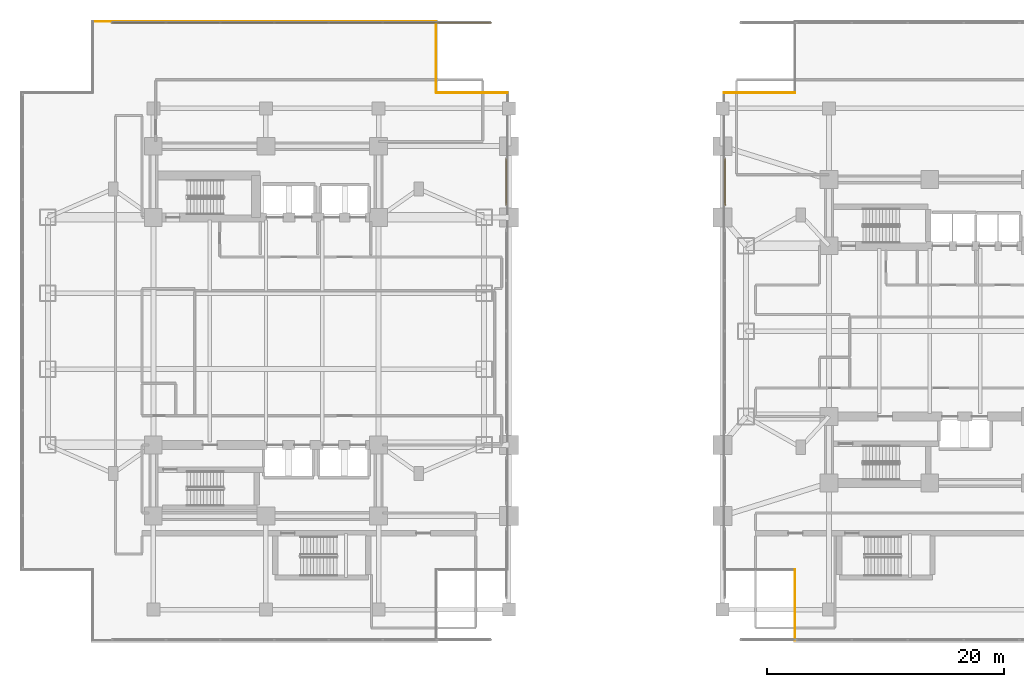
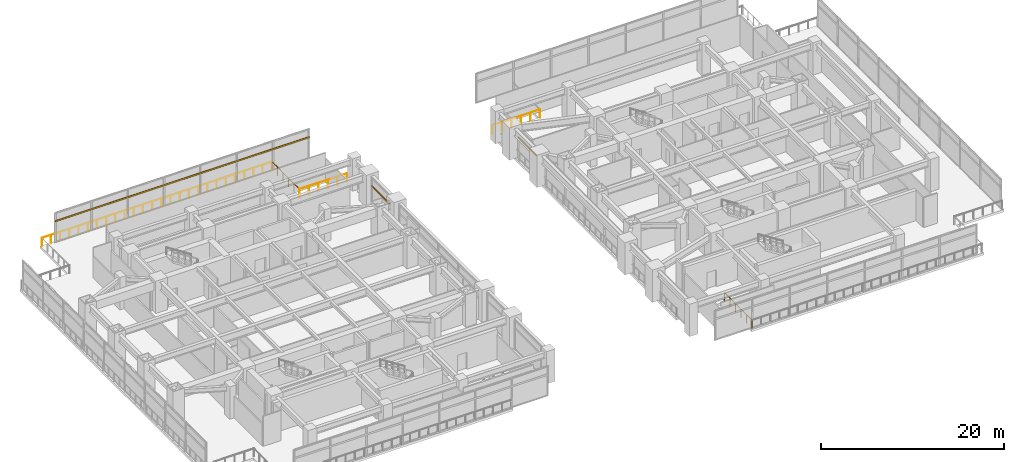
# One storey, part 26 of 31: 5 railings, 3 shading devices.
"""IFC4 building model written with IfcOpenShell, lengths in metres."""

from ifc_helpers import new_model, si_unit, direction, frame, origin, origin_2d, place, context, subcontext, project, spatial, rectangle, circle, extrude, material, material_profile, profile_set, type_object, element, save


model = new_model("IFC4")

# Units and contexts
model_context = context("Model", 3, precision=1e-05, world=origin(), true_north=direction((0.0, 1.0)))
body_context = subcontext(model_context, "Body", "Model", "MODEL_VIEW")
ifc_project = project(units=[si_unit("LENGTHUNIT", "METRE"), si_unit("AREAUNIT", "SQUARE_METRE"), si_unit("VOLUMEUNIT", "CUBIC_METRE"), si_unit("PLANEANGLEUNIT", "RADIAN"), si_unit("MASSUNIT", "GRAM", prefix="KILO")], contexts=[model_context])

# Site, building, storey
site_placement = place(None, origin())
site = spatial("IfcSite", under=ifc_project, at=site_placement, CompositionType="ELEMENT")
building_placement = place(site_placement, origin())
building = spatial("IfcBuilding", under=site, at=building_placement, Name="Mirazonda Arch Towers", CompositionType="ELEMENT")
storey_placement = place(building_placement, frame((0.0, 0.0, 5.199951171875)))
storey = spatial("IfcBuildingStorey", under=building, at=storey_placement, Name="L01", CompositionType="ELEMENT", Elevation=5.199951171875)

# Shading devices
ifc_material_1 = material(Name="Kiln-Fired Architectural Terracotta", Category="masonry")
ifc_material_profile = material_profile(ifc_material_1, rectangle(XDim=0.10009765625, YDim=0.199951171875, at=origin_2d()), Name="TERRA-BAG-100x200")
ifc_profile_set = profile_set([ifc_material_profile], Name="Kiln-Fired Architectural Terracotta")
shading_device_type = type_object("IfcShadingDeviceType", Name="BAGUETTE-2", PredefinedType="USERDEFINED", material=ifc_profile_set)
shading_device_placement = place(storey_placement, frame((7.5, 54.030029296875, 2.851318359375), z_axis=(1.0, 0.0, 0.0), x_axis=(0.0, 1.0, 0.0)))
element("IfcShadingDevice", 1, at=shading_device_placement, inside=storey, type_object=shading_device_type, Name="L01 Glazed Terracotta Sun-Screen Baguette CW-L01-WN", ObjectType="BAGUETTE", PredefinedType="USERDEFINED", context=body_context, shape_type="SweptSolid", body=[
    extrude(rectangle(XDim=0.10009765625, YDim=0.199951171875, at=origin_2d()), origin(), (0.0, 0.0, 1.0), 32.0),
])
for number, where, z_axis, x_axis, name in (
    (2, (40.780029296875, 42.56005859375, 2.851318359375), (0.0, -1.0, 0.0), (1.0, 0.0, 0.0), "L01 Glazed Terracotta Sun-Screen Baguette CW-L01-AW-S1"),
    (3, (59.219970703125, 38.639892578125, 2.851318359375), (0.0, 1.0, 0.0), (-1.0, 0.0, 0.0), "L01 Glazed Terracotta Sun-Screen Baguette CW-L01-AE-S4"),
):
    element("IfcShadingDevice", number, at=place(storey_placement, frame(where, z_axis=z_axis, x_axis=x_axis)), inside=storey, type_object=shading_device_type, Name=name, ObjectType="BAGUETTE", PredefinedType="USERDEFINED", context=body_context, shape_type="SweptSolid", body=[
        extrude(rectangle(XDim=0.10009765625, YDim=0.199951171875, at=origin_2d()), origin(), (0.0, 0.0, 1.0), 3.920166015625),
    ])

# Railings
ifc_material_2 = material(Name="Architectural Brushed Steel S355", Category="steel")
railing_type = type_object("IfcRailingType", Name="GUARD-EXT-1150", PredefinedType="GUARDRAIL", material=ifc_material_2)
railing_1_placement = place(storey_placement, frame((40.860107421875, 48.110107421875, 0.0)))
element("IfcRailing", 4, at=railing_1_placement, inside=storey, type_object=railing_type, Name="L01 L01 West Podium Perimeter Guard 05", PredefinedType="GUARDRAIL", context=body_context, shape_type="SweptSolid", body=[
    extrude(circle(Radius=0.02392578125, at=origin_2d()), frame((0.0, 0.0, 1.1259765625), z_axis=(-1.0, 0.0, 0.0), x_axis=(0.0, -1.0, 0.0)), (0.0, 0.0, 1.0), 6.0),
    extrude(circle(Radius=0.02099609375, at=origin_2d()), origin(), (0.0, 0.0, 1.0), 1.101806640625),
    extrude(circle(Radius=0.02099609375, at=origin_2d()), frame((-1.199951171875, 0.0, 0.0)), (0.0, 0.0, 1.0), 1.101806640625),
    extrude(circle(Radius=0.02099609375, at=origin_2d()), frame((-2.39990234375, 0.0, 0.0)), (0.0, 0.0, 1.0), 1.101806640625),
    extrude(circle(Radius=0.02099609375, at=origin_2d()), frame((-3.60009765625, 0.0, 0.0)), (0.0, 0.0, 1.0), 1.101806640625),
    extrude(circle(Radius=0.02099609375, at=origin_2d()), frame((-4.800048828125, 0.0, 0.0)), (0.0, 0.0, 1.0), 1.101806640625),
    extrude(circle(Radius=0.02099609375, at=origin_2d()), frame((-6.0, 0.0, 0.0)), (0.0, 0.0, 1.0), 1.101806640625),
])
railing_2_placement = place(storey_placement, frame((34.860107421875, 48.110107421875, 0.0)))
element("IfcRailing", 5, at=railing_2_placement, inside=storey, type_object=railing_type, Name="L01 L01 West Podium Perimeter Guard 06", PredefinedType="GUARDRAIL", context=body_context, shape_type="SweptSolid", body=[
    extrude(circle(Radius=0.02392578125, at=origin_2d()), frame((0.0, 0.0, 1.1259765625), z_axis=(0.0, 1.0, 0.0), x_axis=(-1.0, 0.0, 0.0)), (0.0, 0.0, 1.0), 6.0),
    extrude(circle(Radius=0.02099609375, at=origin_2d()), origin(), (0.0, 0.0, 1.0), 1.101806640625),
    extrude(circle(Radius=0.02099609375, at=origin_2d()), frame((0.0, 1.199951171875, 0.0)), (0.0, 0.0, 1.0), 1.101806640625),
    extrude(circle(Radius=0.02099609375, at=origin_2d()), frame((0.0, 2.39990234375, 0.0)), (0.0, 0.0, 1.0), 1.101806640625),
    extrude(circle(Radius=0.02099609375, at=origin_2d()), frame((0.0, 3.60009765625, 0.0)), (0.0, 0.0, 1.0), 1.101806640625),
    extrude(circle(Radius=0.02099609375, at=origin_2d()), frame((0.0, 4.800048828125, 0.0)), (0.0, 0.0, 1.0), 1.101806640625),
    extrude(circle(Radius=0.02099609375, at=origin_2d()), frame((0.0, 6.0, 0.0)), (0.0, 0.0, 1.0), 1.101806640625),
])
railing_3_placement = place(storey_placement, frame((34.860107421875, 54.110107421875, 0.0)))
element("IfcRailing", 6, at=railing_3_placement, inside=storey, type_object=railing_type, Name="L01 L01 West Podium Perimeter Guard 07", PredefinedType="GUARDRAIL", context=body_context, shape_type="SweptSolid", body=[
    extrude(circle(Radius=0.02392578125, at=origin_2d()), frame((0.0, 0.0, 1.1259765625), z_axis=(-1.0, 0.0, 0.0), x_axis=(0.0, -1.0, 0.0)), (0.0, 0.0, 1.0), 28.97021484375),
    extrude(circle(Radius=0.02099609375, at=origin_2d()), origin(), (0.0, 0.0, 1.0), 1.101806640625),
    extrude(circle(Radius=0.02099609375, at=origin_2d()), frame((-1.15869140625, 0.0, 0.0)), (0.0, 0.0, 1.0), 1.101806640625),
    extrude(circle(Radius=0.02099609375, at=origin_2d()), frame((-2.317626953125, 0.0, 0.0)), (0.0, 0.0, 1.0), 1.101806640625),
    extrude(circle(Radius=0.02099609375, at=origin_2d()), frame((-3.476318359375, 0.0, 0.0)), (0.0, 0.0, 1.0), 1.101806640625),
    extrude(circle(Radius=0.02099609375, at=origin_2d()), frame((-4.63525390625, 0.0, 0.0)), (0.0, 0.0, 1.0), 1.101806640625),
    extrude(circle(Radius=0.02099609375, at=origin_2d()), frame((-5.7939453125, 0.0, 0.0)), (0.0, 0.0, 1.0), 1.101806640625),
    extrude(circle(Radius=0.02099609375, at=origin_2d()), frame((-6.952880859375, 0.0, 0.0)), (0.0, 0.0, 1.0), 1.101806640625),
    extrude(circle(Radius=0.02099609375, at=origin_2d()), frame((-8.111572265625, 0.0, 0.0)), (0.0, 0.0, 1.0), 1.101806640625),
    extrude(circle(Radius=0.02099609375, at=origin_2d()), frame((-9.2705078125, 0.0, 0.0)), (0.0, 0.0, 1.0), 1.101806640625),
    extrude(circle(Radius=0.02099609375, at=origin_2d()), frame((-10.42919921875, 0.0, 0.0)), (0.0, 0.0, 1.0), 1.101806640625),
    extrude(circle(Radius=0.02099609375, at=origin_2d()), frame((-11.588134765625, 0.0, 0.0)), (0.0, 0.0, 1.0), 1.101806640625),
    extrude(circle(Radius=0.02099609375, at=origin_2d()), frame((-12.746826171875, 0.0, 0.0)), (0.0, 0.0, 1.0), 1.101806640625),
    extrude(circle(Radius=0.02099609375, at=origin_2d()), frame((-13.90576171875, 0.0, 0.0)), (0.0, 0.0, 1.0), 1.101806640625),
    extrude(circle(Radius=0.02099609375, at=origin_2d()), frame((-15.064453125, 0.0, 0.0)), (0.0, 0.0, 1.0), 1.101806640625),
    extrude(circle(Radius=0.02099609375, at=origin_2d()), frame((-16.223388671875, 0.0, 0.0)), (0.0, 0.0, 1.0), 1.101806640625),
    extrude(circle(Radius=0.02099609375, at=origin_2d()), frame((-17.382080078125, 0.0, 0.0)), (0.0, 0.0, 1.0), 1.101806640625),
    extrude(circle(Radius=0.02099609375, at=origin_2d()), frame((-18.541015625, 0.0, 0.0)), (0.0, 0.0, 1.0), 1.101806640625),
    extrude(circle(Radius=0.02099609375, at=origin_2d()), frame((-19.69970703125, 0.0, 0.0)), (0.0, 0.0, 1.0), 1.101806640625),
    extrude(circle(Radius=0.02099609375, at=origin_2d()), frame((-20.858642578125, 0.0, 0.0)), (0.0, 0.0, 1.0), 1.101806640625),
    extrude(circle(Radius=0.02099609375, at=origin_2d()), frame((-22.017333984375, 0.0, 0.0)), (0.0, 0.0, 1.0), 1.101806640625),
    extrude(circle(Radius=0.02099609375, at=origin_2d()), frame((-23.17626953125, 0.0, 0.0)), (0.0, 0.0, 1.0), 1.101806640625),
    extrude(circle(Radius=0.02099609375, at=origin_2d()), frame((-24.3349609375, 0.0, 0.0)), (0.0, 0.0, 1.0), 1.101806640625),
    extrude(circle(Radius=0.02099609375, at=origin_2d()), frame((-25.493896484375, 0.0, 0.0)), (0.0, 0.0, 1.0), 1.101806640625),
    extrude(circle(Radius=0.02099609375, at=origin_2d()), frame((-26.652587890625, 0.0, 0.0)), (0.0, 0.0, 1.0), 1.101806640625),
    extrude(circle(Radius=0.02099609375, at=origin_2d()), frame((-27.8115234375, 0.0, 0.0)), (0.0, 0.0, 1.0), 1.101806640625),
    extrude(circle(Radius=0.02099609375, at=origin_2d()), frame((-28.97021484375, 0.0, 0.0)), (0.0, 0.0, 1.0), 1.101806640625),
])
railing_4_placement = place(storey_placement, frame((65.139892578125, 48.110107421875, 0.0)))
element("IfcRailing", 7, at=railing_4_placement, inside=storey, type_object=railing_type, Name="L01 L01 East Podium Perimeter Guard 09", PredefinedType="GUARDRAIL", context=body_context, shape_type="SweptSolid", body=[
    extrude(circle(Radius=0.02392578125, at=origin_2d()), frame((0.0, 0.0, 1.1259765625), z_axis=(-1.0, 0.0, 0.0), x_axis=(0.0, -1.0, 0.0)), (0.0, 0.0, 1.0), 6.0),
    extrude(circle(Radius=0.02099609375, at=origin_2d()), origin(), (0.0, 0.0, 1.0), 1.101806640625),
    extrude(circle(Radius=0.02099609375, at=origin_2d()), frame((-1.199951171875, 0.0, 0.0)), (0.0, 0.0, 1.0), 1.101806640625),
    extrude(circle(Radius=0.02099609375, at=origin_2d()), frame((-2.39990234375, 0.0, 0.0)), (0.0, 0.0, 1.0), 1.101806640625),
    extrude(circle(Radius=0.02099609375, at=origin_2d()), frame((-3.60009765625, 0.0, 0.0)), (0.0, 0.0, 1.0), 1.101806640625),
    extrude(circle(Radius=0.02099609375, at=origin_2d()), frame((-4.800048828125, 0.0, 0.0)), (0.0, 0.0, 1.0), 1.101806640625),
    extrude(circle(Radius=0.02099609375, at=origin_2d()), frame((-6.0, 0.0, 0.0)), (0.0, 0.0, 1.0), 1.101806640625),
])
railing_5_placement = place(storey_placement, frame((65.139892578125, 7.889892578125, 0.0)))
element("IfcRailing", 8, at=railing_5_placement, inside=storey, type_object=railing_type, Name="L01 L01 East Podium Perimeter Guard 12", PredefinedType="GUARDRAIL", context=body_context, shape_type="SweptSolid", body=[
    extrude(circle(Radius=0.02392578125, at=origin_2d()), frame((0.0, 0.0, 1.1259765625), z_axis=(0.0, -1.0, 0.0), x_axis=(1.0, 0.0, 0.0)), (0.0, 0.0, 1.0), 6.0),
    extrude(circle(Radius=0.02099609375, at=origin_2d()), origin(), (0.0, 0.0, 1.0), 1.101806640625),
    extrude(circle(Radius=0.02099609375, at=origin_2d()), frame((0.0, -1.199951171875, 0.0)), (0.0, 0.0, 1.0), 1.101806640625),
    extrude(circle(Radius=0.02099609375, at=origin_2d()), frame((0.0, -2.39990234375, 0.0)), (0.0, 0.0, 1.0), 1.101806640625),
    extrude(circle(Radius=0.02099609375, at=origin_2d()), frame((0.0, -3.60009765625, 0.0)), (0.0, 0.0, 1.0), 1.101806640625),
    extrude(circle(Radius=0.02099609375, at=origin_2d()), frame((0.0, -4.800048828125, 0.0)), (0.0, 0.0, 1.0), 1.101806640625),
    extrude(circle(Radius=0.02099609375, at=origin_2d()), frame((0.0, -6.0, 0.0)), (0.0, 0.0, 1.0), 1.101806640625),
])

save(model, "model.ifc")
